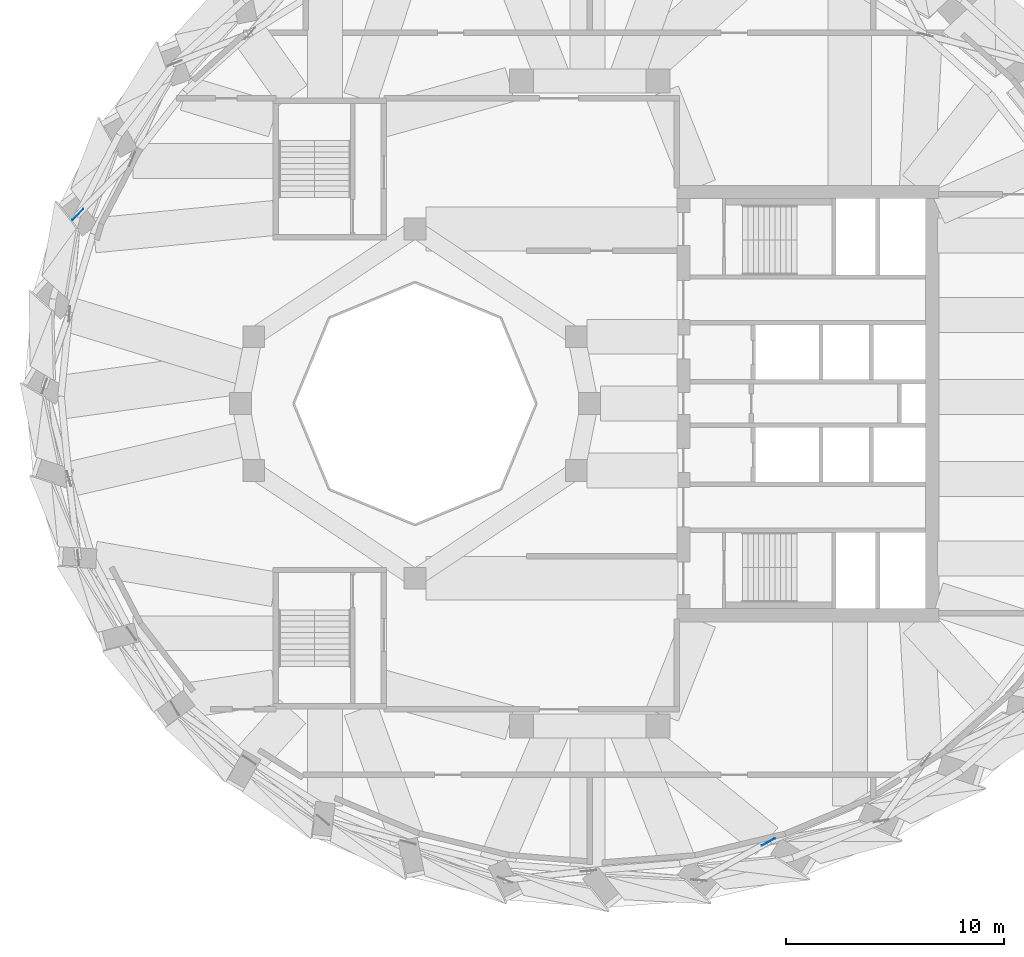
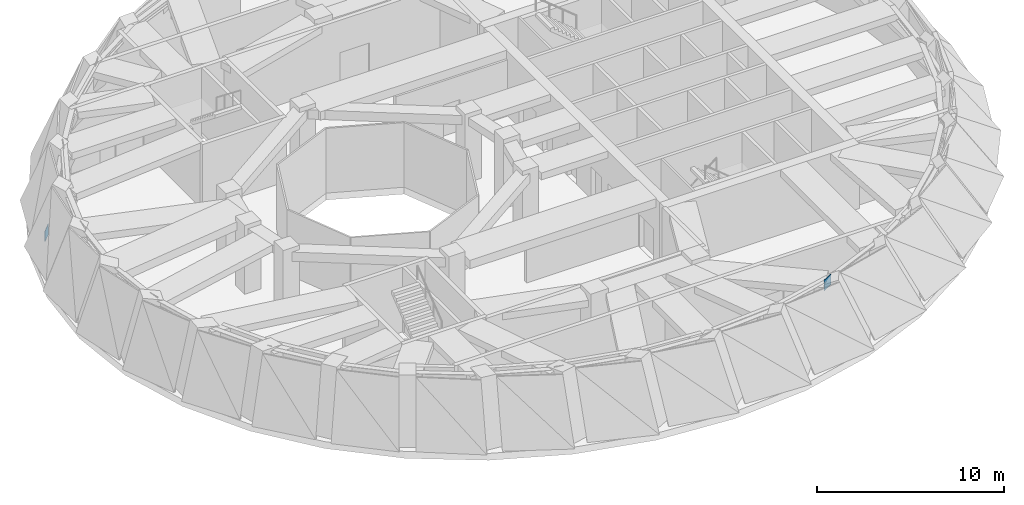
# One storey, part 8 of 14: 2 discrete accessories.
"""IFC4 building model written with IfcOpenShell, lengths in metres."""

from ifc_helpers import new_model, si_unit, direction, frame, origin, origin_2d, place, context, subcontext, project, spatial, rectangle, extrude, material, type_object, element, save


model = new_model("IFC4")

# Units and contexts
model_context = context("Model", 3, precision=1e-05, world=origin(), true_north=direction((0.0, 1.0)))
body_context = subcontext(model_context, "Body", "Model", "MODEL_VIEW")
ifc_project = project(units=[si_unit("LENGTHUNIT", "METRE"), si_unit("AREAUNIT", "SQUARE_METRE"), si_unit("VOLUMEUNIT", "CUBIC_METRE"), si_unit("PLANEANGLEUNIT", "RADIAN"), si_unit("MASSUNIT", "GRAM", prefix="KILO")], contexts=[model_context])

# Site, building, storey
site_placement = place(None, origin())
site = spatial("IfcSite", under=ifc_project, at=site_placement, CompositionType="ELEMENT")
building_placement = place(site_placement, origin())
building = spatial("IfcBuilding", under=site, at=building_placement, Name="Taillehof Tower", CompositionType="ELEMENT")
storey_placement = place(building_placement, frame((0.0, 0.0, 228.800048828125)))
storey = spatial("IfcBuildingStorey", under=building, at=storey_placement, Name="L65", CompositionType="ELEMENT", Elevation=228.800048828125)

# Discrete accessories
ifc_material = material(Name="Steel S460M", Category="steel")
discrete_accessory_type = type_object("IfcDiscreteAccessoryType", Name="Steel gusset plate", PredefinedType="BRACKET", material=ifc_material)
for number, where, z_axis, x_axis, name in (
    (1, (-23.449951171875, 8.669921875, 0.5498046875), (0.0, 0.0, 1.0), (-0.700323945814, -0.713825168314, 0.0), "Gusset plate 276"),
    (2, (8.18994140625, -20.090087890625, 3.669921875), (0.0, 0.0, 1.0), (0.87584635289, 0.482590060123, 0.0), "Gusset plate 295"),
):
    element("IfcDiscreteAccessory", number, at=place(storey_placement, frame(where, z_axis=z_axis, x_axis=x_axis)), inside=storey, type_object=discrete_accessory_type, Name=name, PredefinedType="BRACKET", context=body_context, shape_type="SweptSolid", body=[
        extrude(rectangle(XDim=0.699951171875, YDim=0.02490234375, at=origin_2d()), origin(), (0.0, 0.0, 1.0), 0.699951171875),
    ])

save(model, "model.ifc")
